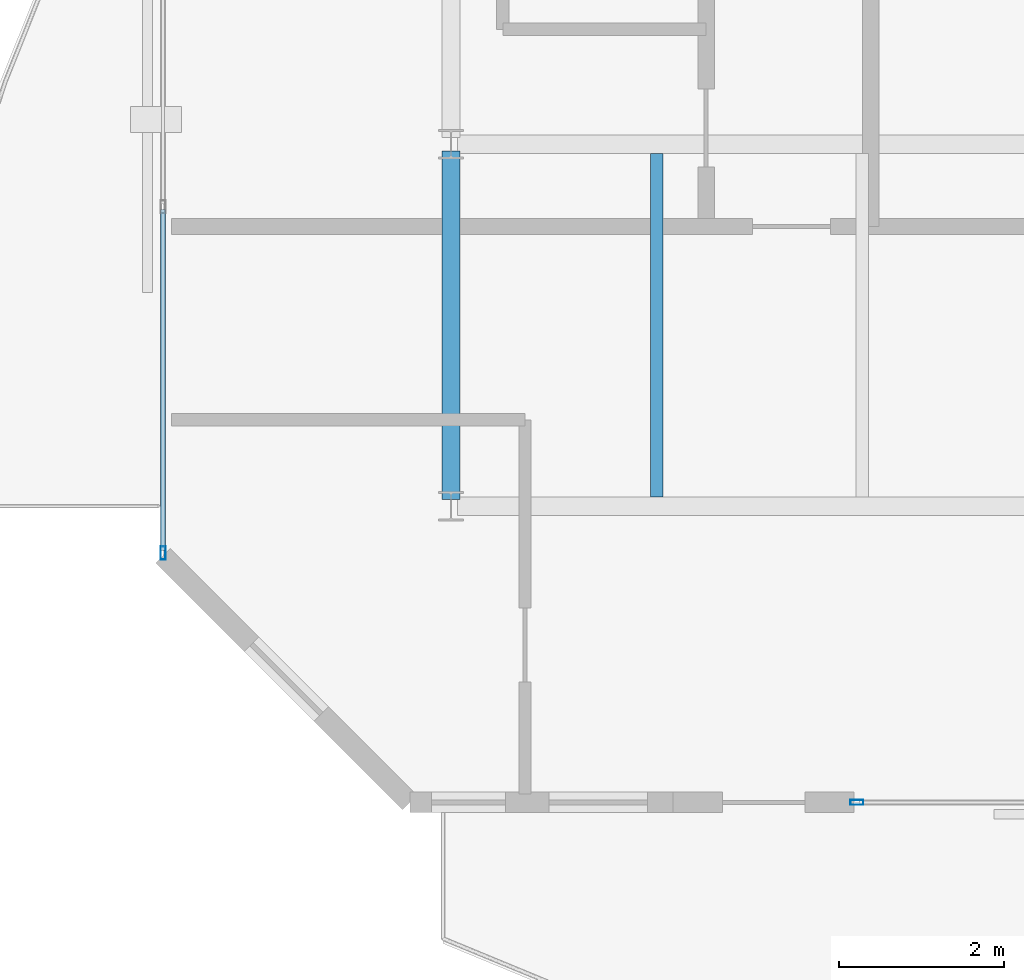
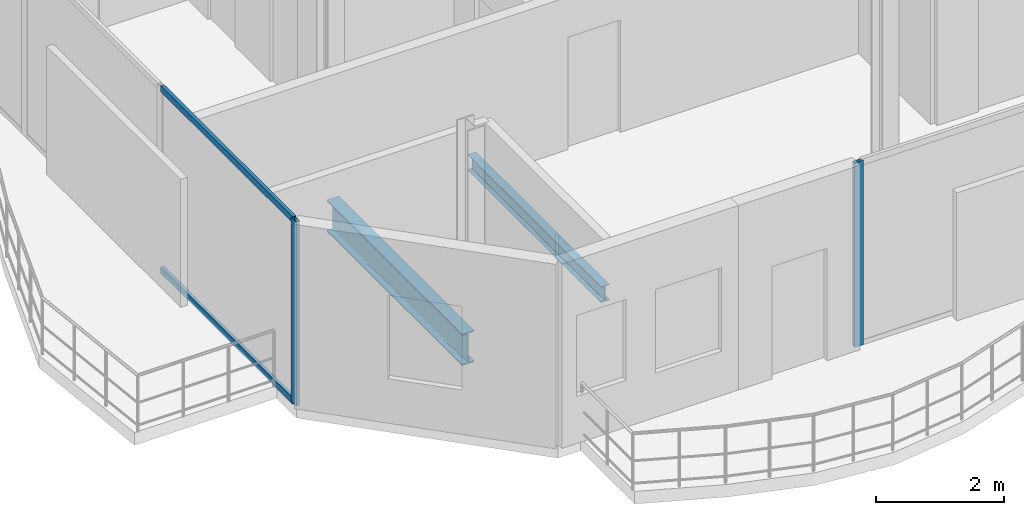
# One storey, part 3 of 22: 4 members, 2 beams, 2 elements without a shape of their own.
"""IFC4 building model written with IfcOpenShell, lengths in metres."""

from ifc_helpers import new_model, si_unit, direction, frame, origin, origin_2d, place, context, subcontext, project, spatial, hollow_rectangle, i_section, extrude, material, layer, layer_set, material_profile, profile_set, type_object, element, aggregate, save


model = new_model("IFC4")

# Units and contexts
model_context = context("Model", 3, precision=1e-05, world=origin(), true_north=direction((0.0, 1.0)))
body_context = subcontext(model_context, "Body", "Model", "MODEL_VIEW")
ifc_project = project(units=[si_unit("LENGTHUNIT", "METRE"), si_unit("AREAUNIT", "SQUARE_METRE"), si_unit("VOLUMEUNIT", "CUBIC_METRE"), si_unit("PLANEANGLEUNIT", "RADIAN"), si_unit("MASSUNIT", "GRAM", prefix="KILO")], contexts=[model_context])

# Site, building, storey
site_placement = place(None, origin())
site = spatial("IfcSite", under=ifc_project, at=site_placement, CompositionType="ELEMENT")
building_placement = place(site_placement, origin())
building = spatial("IfcBuilding", under=site, at=building_placement, Name="Catumbela Crestline Tower", CompositionType="ELEMENT")
storey_placement = place(building_placement, frame((0.0, 0.0, 226.0)))
storey = spatial("IfcBuildingStorey", under=building, at=storey_placement, Name="L58", CompositionType="ELEMENT", Elevation=226.0)

# Beams
ifc_material_1 = material(Name="Structural steel S355J2", Category="steel")
ifc_material_profile_1 = material_profile(ifc_material_1, i_section(OverallWidth=0.22, OverallDepth=0.6, WebThickness=0.012, FlangeThickness=0.019, FilletRadius=0.024, at=origin_2d()), Name="IPE 600")
ifc_profile_set_1 = profile_set([ifc_material_profile_1], Name="Structural steel S355J2")
beam_type_1 = type_object("IfcBeamType", Name="BG-IPE600", PredefinedType="BEAM", material=ifc_profile_set_1)
beam_1_placement = place(storey_placement, frame((8.5, 13.68, -0.56), z_axis=(0.0, 1.0, 0.0), x_axis=(-1.0, 0.0, 0.0)))
element("IfcBeam", 1, at=beam_1_placement, inside=storey, type_object=beam_type_1, Name="L58 Beam BM-L58-WNS31", PredefinedType="BEAM", context=body_context, shape_type="SweptSolid", body=[
    extrude(i_section(OverallWidth=0.22, OverallDepth=0.6, WebThickness=0.012, FlangeThickness=0.019, FilletRadius=0.024, at=origin_2d()), origin(), (0.0, 0.0, 1.0), 4.24),
])
ifc_material_profile_2 = material_profile(ifc_material_1, i_section(OverallWidth=0.15, OverallDepth=0.3, WebThickness=0.0071, FlangeThickness=0.0107, FilletRadius=0.015, at=origin_2d()), Name="IPE 300")
ifc_profile_set_2 = profile_set([ifc_material_profile_2], Name="Structural steel S355J2")
beam_type_2 = type_object("IfcBeamType", Name="BJ-IPE300", PredefinedType="JOIST", material=ifc_profile_set_2)
beam_2_placement = place(storey_placement, frame((11.0, 13.71, -0.41), z_axis=(0.0, 1.0, 0.0), x_axis=(-1.0, 0.0, 0.0)))
element("IfcBeam", 2, at=beam_2_placement, inside=storey, type_object=beam_type_2, Name="L58 Joist JS-L58-WG36", PredefinedType="JOIST", context=body_context, shape_type="SweptSolid", body=[
    extrude(i_section(OverallWidth=0.15, OverallDepth=0.3, WebThickness=0.0071, FlangeThickness=0.0107, FilletRadius=0.015, at=origin_2d()), origin(), (0.0, 0.0, 1.0), 4.18),
])

# Curtain wall, member
ifc_material_2 = material(Name="Aluminium alloy AW-6060-T66", Category="aluminium")
ifc_layer = layer(ifc_material_2, 0.18, Name="Aluminium alloy AW-6060-T66")
ifc_layer_set = layer_set([ifc_layer], Name="Aluminium alloy AW-6060-T66")
curtain_wall_type = type_object("IfcCurtainWallType", Name="CWU-Z4", PredefinedType="USERDEFINED", material=ifc_layer_set)
curtain_wall_1_placement = place(storey_placement, origin())
curtain_wall_1 = element("IfcCurtainWall", 3, at=curtain_wall_1_placement, inside=storey, type_object=curtain_wall_type, Name="L58 Unitised Curtain Wall CW-L58-E0S2", ObjectType="UNITISED", PredefinedType="USERDEFINED")
ifc_material_profile_3 = material_profile(ifc_material_2, hollow_rectangle(XDim=0.06, YDim=0.16, WallThickness=0.004, at=origin_2d()), Name="ALU 160x60x4")
ifc_profile_set_3 = profile_set([ifc_material_profile_3], Name="Aluminium alloy AW-6060-T66")
member_type_1 = type_object("IfcMemberType", Name="MUL-160X60", PredefinedType="MULLION", material=ifc_profile_set_3)
member_1_placement = place(storey_placement, frame((13.4325, 10.0, 0.0), z_axis=(0.0, 0.0, 1.0), x_axis=(0.0, 1.0, 0.0)))
member_1 = element("IfcMember", 4, at=member_1_placement, type_object=member_type_1, Name="CWU-Z4 mullion 1", PredefinedType="MULLION", context=body_context, shape_type="SweptSolid", body=[
    extrude(hollow_rectangle(XDim=0.06, YDim=0.16, WallThickness=0.004, at=origin_2d()), origin(), (0.0, 0.0, 1.0), 3.53),
])
aggregate(curtain_wall_1, [member_1])

# Curtain wall, members
curtain_wall_2_placement = place(storey_placement, origin())
curtain_wall_2 = element("IfcCurtainWall", 5, at=curtain_wall_2_placement, inside=storey, type_object=curtain_wall_type, Name="L58 Unitised Curtain Wall CW-L58-E9S2", ObjectType="UNITISED", PredefinedType="USERDEFINED")
member_2_placement = place(storey_placement, frame((5.0, 13.0325, 0.0), z_axis=(0.0, 0.0, 1.0), x_axis=(1.0, 0.0, 0.0)))
member_2 = element("IfcMember", 6, at=member_2_placement, type_object=member_type_1, Name="CWU-Z4 mullion 6", PredefinedType="MULLION", context=body_context, shape_type="SweptSolid", body=[
    extrude(hollow_rectangle(XDim=0.06, YDim=0.16, WallThickness=0.004, at=origin_2d()), origin(), (0.0, 0.0, 1.0), 3.53),
])
ifc_material_profile_4 = material_profile(ifc_material_2, hollow_rectangle(XDim=0.06, YDim=0.12, WallThickness=0.0035, at=origin_2d()), Name="ALU 120x60x3.5")
ifc_profile_set_4 = profile_set([ifc_material_profile_4], Name="Aluminium alloy AW-6060-T66")
member_type_2 = type_object("IfcMemberType", Name="TRN-120X60", PredefinedType="USERDEFINED", material=ifc_profile_set_4)
member_3_placement = place(storey_placement, frame((5.0, 17.2075, 0.03), z_axis=(0.0, -1.0, 0.0), x_axis=(1.0, 0.0, 0.0)))
member_3 = element("IfcMember", 7, at=member_3_placement, type_object=member_type_2, Name="CWU-Z4 transom 5.1", ObjectType="TRANSOM", PredefinedType="USERDEFINED", context=body_context, shape_type="SweptSolid", body=[
    extrude(hollow_rectangle(XDim=0.06, YDim=0.12, WallThickness=0.0035, at=origin_2d()), origin(), (0.0, 0.0, 1.0), 4.1425),
])
member_4_placement = place(storey_placement, frame((5.0, 17.2075, 3.5), z_axis=(0.0, -1.0, 0.0), x_axis=(1.0, 0.0, 0.0)))
member_4 = element("IfcMember", 8, at=member_4_placement, type_object=member_type_2, Name="CWU-Z4 transom 5.2", ObjectType="TRANSOM", PredefinedType="USERDEFINED", context=body_context, shape_type="SweptSolid", body=[
    extrude(hollow_rectangle(XDim=0.06, YDim=0.12, WallThickness=0.0035, at=origin_2d()), origin(), (0.0, 0.0, 1.0), 4.1425),
])
aggregate(curtain_wall_2, [member_2, member_3, member_4])

save(model, "model.ifc")
